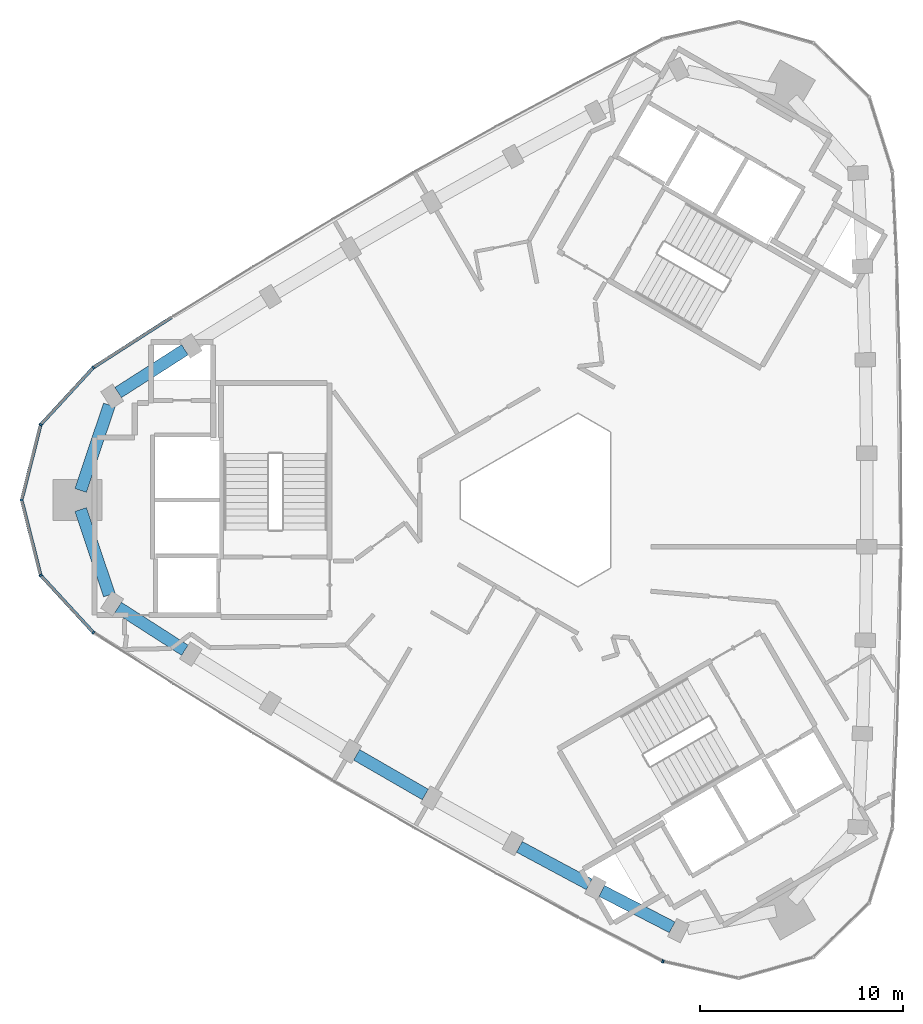
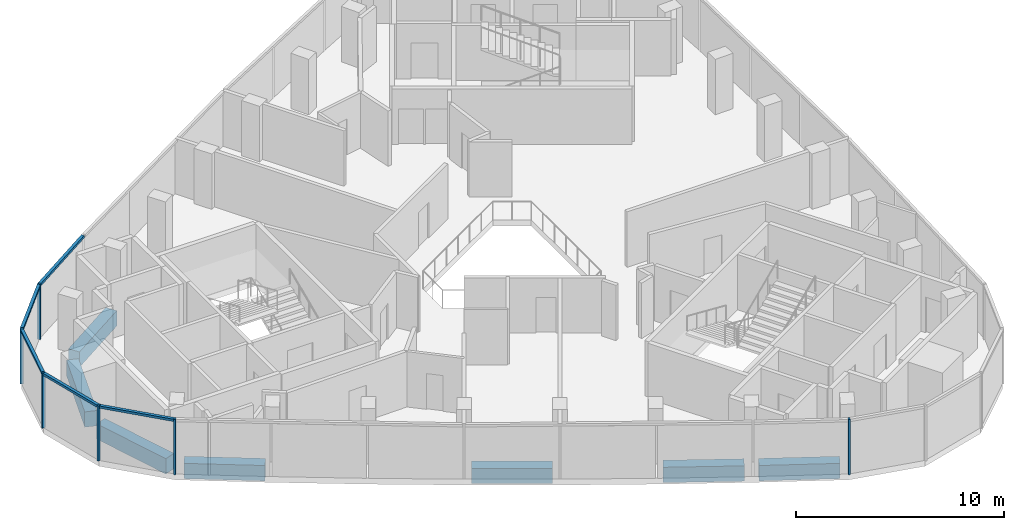
# One storey, part 2 of 10: 11 members, 7 beams, 2 elements without a shape of their own.
"""IFC4 building model written with IfcOpenShell, lengths in metres."""

from ifc_helpers import new_model, si_unit, direction, frame, origin, origin_2d, place, context, subcontext, project, spatial, rectangle, extrude, material, material_profile, profile_set, type_object, element, aggregate, save


model = new_model("IFC4")

# Units and contexts
model_context = context("Model", 3, precision=1e-05, world=origin(), true_north=direction((0.0, 1.0)))
body_context = subcontext(model_context, "Body", "Model", "MODEL_VIEW")
ifc_project = project(units=[si_unit("LENGTHUNIT", "METRE"), si_unit("AREAUNIT", "SQUARE_METRE"), si_unit("VOLUMEUNIT", "CUBIC_METRE"), si_unit("PLANEANGLEUNIT", "RADIAN"), si_unit("MASSUNIT", "GRAM", prefix="KILO")], contexts=[model_context])

# Site, building, storey
site_placement = place(None, origin())
site = spatial("IfcSite", under=ifc_project, at=site_placement, CompositionType="ELEMENT")
building_placement = place(site_placement, origin())
building = spatial("IfcBuilding", under=site, at=building_placement, Name="Tamra Quay Hotel Tower", CompositionType="ELEMENT")
storey_placement = place(building_placement, frame((0.0, 0.0, 294.60009765625)))
storey = spatial("IfcBuildingStorey", under=building, at=storey_placement, Name="L74", CompositionType="ELEMENT", Elevation=294.60009765625)

# Curtain wall, members
ifc_material_1 = material(Name="Aluminium 6063 anodised dark grey", Category="aluminium")
curtain_wall_type_1 = type_object("IfcCurtainWallType", Name="CW2 CURTAIN WALL", PredefinedType="NOTDEFINED", material=ifc_material_1)
curtain_wall_1_placement = place(storey_placement, origin())
curtain_wall_1 = element("IfcCurtainWall", 1, at=curtain_wall_1_placement, inside=storey, type_object=curtain_wall_type_1, Name="CW2 north-west face L74", PredefinedType="NOTDEFINED")
ifc_material_profile_1 = material_profile(ifc_material_1, rectangle(XDim=0.159912109375, YDim=0.10009765625, at=origin_2d()), Name="MULLION 100X160")
ifc_profile_set_1 = profile_set([ifc_material_profile_1], Name="Aluminium 6063 anodised dark grey")
member_type_1 = type_object("IfcMemberType", Name="MULLION CW2 Z6", PredefinedType="MULLION", material=ifc_profile_set_1)
member_1_placement = place(storey_placement, frame((-22.488525390625, 6.530517578125, 0.0), z_axis=(0.0, 0.0, 1.0), x_axis=(-0.643086474198, 0.765793566638, 0.0)))
member_1 = element("IfcMember", 2, at=member_1_placement, type_object=member_type_1, Name="CW2 mullion L74.NW.8", PredefinedType="MULLION", context=body_context, shape_type="SweptSolid", body=[
    extrude(rectangle(XDim=0.159912109375, YDim=0.10009765625, at=origin_2d()), origin(), (0.0, 0.0, 1.0), 3.25),
])
member_2_placement = place(storey_placement, frame((-25.0830078125, 3.712890625, 0.0), z_axis=(0.0, 0.0, 1.0), x_axis=(-0.879433050093, 0.476022594427, 0.0)))
member_2 = element("IfcMember", 3, at=member_2_placement, type_object=member_type_1, Name="CW2 mullion L74.NW.9", PredefinedType="MULLION", context=body_context, shape_type="SweptSolid", body=[
    extrude(rectangle(XDim=0.159912109375, YDim=0.10009765625, at=origin_2d()), origin(), (0.0, 0.0, 1.0), 3.25),
])
member_3_placement = place(storey_placement, frame((-26.0234375, 0.0, 0.0), z_axis=(0.0, 0.0, 1.0), x_axis=(-1.0, 0.0, 0.0)))
member_3 = element("IfcMember", 4, at=member_3_placement, type_object=member_type_1, Name="CW2 mullion L74.NW.10", PredefinedType="MULLION", context=body_context, shape_type="SweptSolid", body=[
    extrude(rectangle(XDim=0.159912109375, YDim=0.10009765625, at=origin_2d()), origin(), (0.0, 0.0, 1.0), 3.25),
])
member_4_placement = place(storey_placement, frame((-25.0830078125, -3.712890625, 0.0), z_axis=(0.0, 0.0, 1.0), x_axis=(-0.879433050093, -0.476022594427, 0.0)))
member_4 = element("IfcMember", 5, at=member_4_placement, type_object=member_type_1, Name="CW2 mullion L74.NW.11", PredefinedType="MULLION", context=body_context, shape_type="SweptSolid", body=[
    extrude(rectangle(XDim=0.159912109375, YDim=0.10009765625, at=origin_2d()), origin(), (0.0, 0.0, 1.0), 3.25),
])

curtain_wall_type_2 = type_object("IfcCurtainWallType", Name="CW3 CURTAIN WALL", PredefinedType="NOTDEFINED", material=ifc_material_1)
curtain_wall_2_placement = place(storey_placement, origin())
curtain_wall_2 = element("IfcCurtainWall", 6, at=curtain_wall_2_placement, inside=storey, type_object=curtain_wall_type_2, Name="CW3 south-west face L74", PredefinedType="NOTDEFINED")
ifc_material_profile_2 = material_profile(ifc_material_1, rectangle(XDim=0.159912109375, YDim=0.10009765625, at=origin_2d()), Name="MULLION 100X160")
ifc_profile_set_2 = profile_set([ifc_material_profile_2], Name="Aluminium 6063 anodised dark grey")
member_type_2 = type_object("IfcMemberType", Name="MULLION CW3 Z6", PredefinedType="MULLION", material=ifc_profile_set_2)
member_5_placement = place(storey_placement, frame((-22.488525390625, -6.530517578125, 0.0), z_axis=(0.0, 0.0, 1.0), x_axis=(-0.643086474198, -0.765793566638, 0.0)))
member_5 = element("IfcMember", 7, at=member_5_placement, type_object=member_type_2, Name="CW3 mullion L74.SW.1", PredefinedType="MULLION", context=body_context, shape_type="SweptSolid", body=[
    extrude(rectangle(XDim=0.159912109375, YDim=0.10009765625, at=origin_2d()), origin(), (0.0, 0.0, 1.0), 3.25),
])
member_6_placement = place(storey_placement, frame((5.588623046875, -22.740966796875, 0.0), z_axis=(0.0, 0.0, 1.0), x_axis=(-0.341653445664, -0.939826006804, 0.0)))
member_6 = element("IfcMember", 8, at=member_6_placement, type_object=member_type_2, Name="CW3 mullion L74.SW.8", PredefinedType="MULLION", context=body_context, shape_type="SweptSolid", body=[
    extrude(rectangle(XDim=0.159912109375, YDim=0.10009765625, at=origin_2d()), origin(), (0.0, 0.0, 1.0), 3.25),
])
aggregate(curtain_wall_2, [member_5, member_6])

# Beams
ifc_material_2 = material(Name="Concrete M60", Category="concrete")
ifc_material_profile_3 = material_profile(ifc_material_2, rectangle(XDim=0.60009765625, YDim=0.89990234375, at=origin_2d()), Name="SPANDREL BEAM RC 600x900")
ifc_profile_set_3 = profile_set([ifc_material_profile_3], Name="Concrete M60")
beam_type = type_object("IfcBeamType", Name="SPANDREL BEAM RC 600x900", PredefinedType="SPANDREL", material=ifc_profile_set_3)
beam_1_placement = place(storey_placement, frame((-17.97607421875, 7.406005859375, -0.800048828125), z_axis=(-0.841679613882, -0.539977247276, 0.0), x_axis=(0.539977247276, -0.841679613882, 0.0)))
element("IfcBeam", 9, at=beam_1_placement, inside=storey, type_object=beam_type, Name="BM-SP6-015-L74", PredefinedType="SPANDREL", context=body_context, shape_type="SweptSolid", body=[
    extrude(rectangle(XDim=0.60009765625, YDim=0.89990234375, at=origin_2d()), origin(), (0.0, 0.0, 1.0), 3.906982421875),
])
for number, where, z_axis, x_axis, name in (
    (10, (-21.70068359375, 4.6845703125, -0.800048828125), (-0.318271531925, -0.947999594919, 0.0), (0.947999594919, -0.318271531925, 0.0), "BM-SP6-016-L74"),
    (11, (-23.114501953125, -0.473388671875, -0.800048828125), (0.318271531925, -0.947999594919, 0.0), (0.947999594919, 0.318271531925, 0.0), "BM-SP6-017-L74"),
):
    element("IfcBeam", number, at=place(storey_placement, frame(where, z_axis=z_axis, x_axis=x_axis)), inside=storey, type_object=beam_type, Name=name, PredefinedType="SPANDREL", context=body_context, shape_type="SweptSolid", body=[
        extrude(rectangle(XDim=0.60009765625, YDim=0.89990234375, at=origin_2d()), origin(), (0.0, 0.0, 1.0), 4.442138671875),
    ])
for number, where, z_axis, x_axis, name in (
    (12, (-21.264404296875, -5.29638671875, -0.800048828125), (0.841679613882, -0.539977247276, 0.0), (0.539977247276, 0.841679613882, 0.0), "BM-SP6-018-L74"),
    (13, (-9.5087890625, -12.562744140625, -0.800048828125), (0.866011803689, -0.500023555316, 0.0), (0.500023555316, 0.866011803689, 0.0), "BM-SP6-021-L74"),
):
    element("IfcBeam", number, at=place(storey_placement, frame(where, z_axis=z_axis, x_axis=x_axis)), inside=storey, type_object=beam_type, Name=name, PredefinedType="SPANDREL", context=body_context, shape_type="SweptSolid", body=[
        extrude(rectangle(XDim=0.60009765625, YDim=0.89990234375, at=origin_2d()), origin(), (0.0, 0.0, 1.0), 3.906982421875),
    ])
beam_2_placement = place(storey_placement, frame((-1.488525390625, -17.09765625, -0.800048828125), z_axis=(0.88123835064, -0.472672158437, 0.0), x_axis=(0.472672158437, 0.88123835064, 0.0)))
element("IfcBeam", 14, at=beam_2_placement, inside=storey, type_object=beam_type, Name="BM-SP6-023-L74", PredefinedType="SPANDREL", context=body_context, shape_type="SweptSolid", body=[
    extrude(rectangle(XDim=0.60009765625, YDim=0.89990234375, at=origin_2d()), origin(), (0.0, 0.0, 1.0), 3.907470703125),
])
beam_3_placement = place(storey_placement, frame((2.57421875, -19.270751953125, -0.800048828125), z_axis=(0.888476019227, -0.458923047208, 0.0), x_axis=(0.458923047208, 0.888476019227, 0.0)))
element("IfcBeam", 15, at=beam_3_placement, inside=storey, type_object=beam_type, Name="BM-SP6-024-L74", PredefinedType="SPANDREL", context=body_context, shape_type="SweptSolid", body=[
    extrude(rectangle(XDim=0.60009765625, YDim=0.89990234375, at=origin_2d()), origin(), (0.0, 0.0, 1.0), 3.906982421875),
])

# Member
ifc_material_profile_4 = material_profile(ifc_material_1, rectangle(XDim=0.159912109375, YDim=0.139892578125, at=origin_2d()), Name="TRANSOM 160X140")
ifc_profile_set_4 = profile_set([ifc_material_profile_4], Name="Aluminium 6063 anodised dark grey")
member_type_3 = type_object("IfcMemberType", Name="TRANSOM CW2 Z6", PredefinedType="USERDEFINED", material=ifc_profile_set_4)
member_7_placement = place(storey_placement, frame((-18.6298828125, 9.006103515625, 3.179931640625), z_axis=(-0.841671458023, -0.539989959859, 0.0), x_axis=(0.539989959859, -0.841671458023, 0.0)))
member_7 = element("IfcMember", 16, at=member_7_placement, type_object=member_type_3, Name="CW2 transom L74.NW.7", ObjectType="TRANSOM", PredefinedType="USERDEFINED", context=body_context, shape_type="SweptSolid", body=[
    extrude(rectangle(XDim=0.159912109375, YDim=0.139892578125, at=origin_2d()), origin(), (0.0, 0.0, 1.0), 4.534423828125),
])

member_8_placement = place(storey_placement, frame((-22.522216796875, 6.493896484375, 3.179931640625), z_axis=(-0.677382568032, -0.735630924123, 0.0), x_axis=(0.735630924123, -0.677382568032, 0.0)))
member_8 = element("IfcMember", 17, at=member_8_placement, type_object=member_type_3, Name="CW2 transom L74.NW.8", ObjectType="TRANSOM", PredefinedType="USERDEFINED", context=body_context, shape_type="SweptSolid", body=[
    extrude(rectangle(XDim=0.159912109375, YDim=0.139892578125, at=origin_2d()), origin(), (0.0, 0.0, 1.0), 3.730224609375),
])

member_9_placement = place(storey_placement, frame((-25.09521484375, 3.66455078125, 3.179931640625), z_axis=(-0.245506732561, -0.96939488562, 0.0), x_axis=(0.96939488562, -0.245506732561, 0.0)))
member_9 = element("IfcMember", 18, at=member_9_placement, type_object=member_type_3, Name="CW2 transom L74.NW.9", ObjectType="TRANSOM", PredefinedType="USERDEFINED", context=body_context, shape_type="SweptSolid", body=[
    extrude(rectangle(XDim=0.159912109375, YDim=0.139892578125, at=origin_2d()), origin(), (0.0, 0.0, 1.0), 3.730224609375),
])

member_10_placement = place(storey_placement, frame((-26.010986328125, -0.048583984375, 3.179931640625), z_axis=(0.245506732561, -0.96939488562, 0.0), x_axis=(0.96939488562, 0.245506732561, 0.0)))
member_10 = element("IfcMember", 19, at=member_10_placement, type_object=member_type_3, Name="CW2 transom L74.NW.10", ObjectType="TRANSOM", PredefinedType="USERDEFINED", context=body_context, shape_type="SweptSolid", body=[
    extrude(rectangle(XDim=0.159912109375, YDim=0.139892578125, at=origin_2d()), origin(), (0.0, 0.0, 1.0), 3.730224609375),
])

member_11_placement = place(storey_placement, frame((-25.049072265625, -3.749755859375, 3.179931640625), z_axis=(0.677382568032, -0.735630924123, 0.0), x_axis=(0.735630924123, 0.677382568032, 0.0)))
member_11 = element("IfcMember", 20, at=member_11_placement, type_object=member_type_3, Name="CW2 transom L74.NW.11", ObjectType="TRANSOM", PredefinedType="USERDEFINED", context=body_context, shape_type="SweptSolid", body=[
    extrude(rectangle(XDim=0.159912109375, YDim=0.139892578125, at=origin_2d()), origin(), (0.0, 0.0, 1.0), 3.730224609375),
])

aggregate(curtain_wall_1, [member_7, member_1, member_8, member_2, member_9, member_3, member_10, member_4, member_11])

save(model, "model.ifc")
